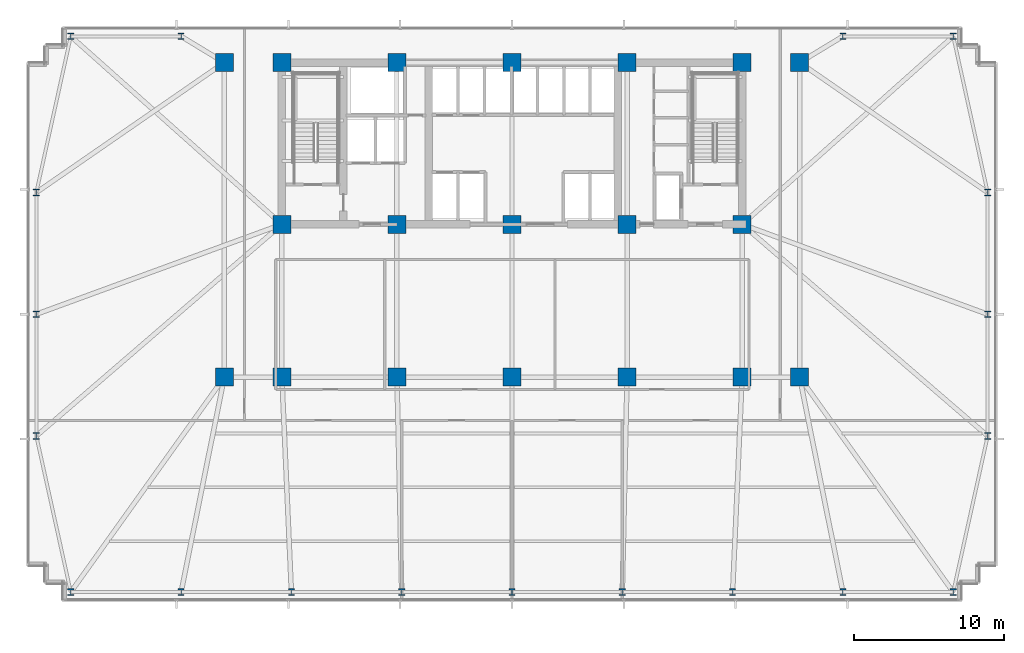
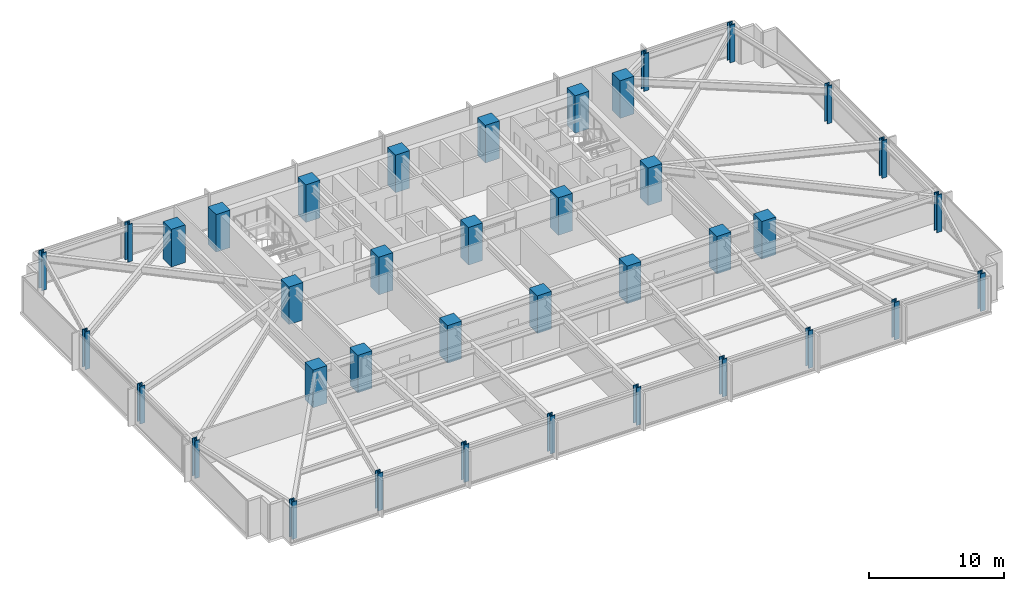
# One storey, part 1 of 32: 38 columns.
"""IFC4 building model written with IfcOpenShell, lengths in metres."""

from ifc_helpers import new_model, si_unit, direction, frame, origin, origin_2d, place, context, subcontext, project, spatial, rectangle, i_section, extrude, material, material_profile, profile_set, type_object, element, save


model = new_model("IFC4")

# Units and contexts
model_context = context("Model", 3, precision=1e-05, world=origin(), true_north=direction((0.0, 1.0)))
body_context = subcontext(model_context, "Body", "Model", "MODEL_VIEW")
ifc_project = project(units=[si_unit("LENGTHUNIT", "METRE"), si_unit("AREAUNIT", "SQUARE_METRE"), si_unit("VOLUMEUNIT", "CUBIC_METRE"), si_unit("PLANEANGLEUNIT", "RADIAN"), si_unit("MASSUNIT", "GRAM", prefix="KILO")], contexts=[model_context])

# Site, building, storey
site_placement = place(None, origin())
site = spatial("IfcSite", under=ifc_project, at=site_placement, CompositionType="ELEMENT")
building_placement = place(site_placement, origin())
building = spatial("IfcBuilding", under=site, at=building_placement, Name="Yelkora Congress Tower", CompositionType="ELEMENT")
storey_placement = place(building_placement, frame((0.0, 0.0, 50.800048828125)))
storey = spatial("IfcBuildingStorey", under=building, at=storey_placement, Name="L12", CompositionType="ELEMENT", Elevation=50.800048828125)

# Columns
ifc_material_1 = material(Name="Steel S460M", Category="steel")
ifc_material_profile_1 = material_profile(ifc_material_1, i_section(OverallWidth=0.41796875, OverallDepth=0.455078125, WebThickness=0.0419921875, FlangeThickness=0.068115234375, FilletRadius=0.014892578125, at=origin_2d()), Name="HD 400x551")
ifc_profile_set_1 = profile_set([ifc_material_profile_1], Name="Steel S460M")
column_type_1 = type_object("IfcColumnType", Name="COL-HD-551-EXT", PredefinedType="COLUMN", material=ifc_profile_set_1)
for number, where, z_axis, x_axis, name in (
    (1, (8.949951171875, 10.85009765625, 0.0), (0.0, 0.0, 1.0), (1.0, 0.0, 0.0), "L12 Perimeter Column S01"),
    (2, (16.3125, 10.85009765625, 0.0), (0.0, 0.0, 1.0), (1.0, 0.0, 0.0), "L12 Perimeter Column S02"),
    (3, (23.675048828125, 10.85009765625, 0.0), (0.0, 0.0, 1.0), (1.0, 0.0, 0.0), "L12 Perimeter Column S03"),
    (4, (31.03759765625, 10.85009765625, 0.0), (0.0, 0.0, 1.0), (1.0, 0.0, 0.0), "L12 Perimeter Column S04"),
    (5, (38.39990234375, 10.85009765625, 0.0), (0.0, 0.0, 1.0), (1.0, 0.0, 0.0), "L12 Perimeter Column S05"),
    (6, (45.762451171875, 10.85009765625, 0.0), (0.0, 0.0, 1.0), (1.0, 0.0, 0.0), "L12 Perimeter Column S06"),
    (7, (53.125, 10.85009765625, 0.0), (0.0, 0.0, 1.0), (1.0, 0.0, 0.0), "L12 Perimeter Column S07"),
    (8, (60.487548828125, 10.85009765625, 0.0), (0.0, 0.0, 1.0), (1.0, 0.0, 0.0), "L12 Perimeter Column S08"),
    (9, (67.85009765625, 10.85009765625, 0.0), (0.0, 0.0, 1.0), (1.0, 0.0, 0.0), "L12 Perimeter Column S09"),
    (10, (8.949951171875, 47.949951171875, 0.0), (0.0, 0.0, 1.0), (1.0, 0.0, 0.0), "L12 Perimeter Column N01"),
    (11, (16.3125, 47.949951171875, 0.0), (0.0, 0.0, 1.0), (1.0, 0.0, 0.0), "L12 Perimeter Column N02"),
    (12, (60.487548828125, 47.949951171875, 0.0), (0.0, 0.0, 1.0), (1.0, 0.0, 0.0), "L12 Perimeter Column N08"),
    (13, (67.85009765625, 47.949951171875, 0.0), (0.0, 0.0, 1.0), (1.0, 0.0, 0.0), "L12 Perimeter Column N09"),
    (14, (6.64990234375, 21.27490234375, 0.0), (0.0, 0.0, 1.0), (1.0, 0.0, 0.0), "L12 Perimeter Column W01"),
    (15, (70.14990234375, 21.27490234375, 0.0), (0.0, 0.0, 1.0), (1.0, 0.0, 0.0), "L12 Perimeter Column E01"),
    (16, (6.64990234375, 29.39990234375, 0.0), (0.0, 0.0, 1.0), (1.0, 0.0, 0.0), "L12 Perimeter Column W02"),
    (17, (70.14990234375, 29.39990234375, 0.0), (0.0, 0.0, 1.0), (1.0, 0.0, 0.0), "L12 Perimeter Column E02"),
    (18, (6.64990234375, 37.52490234375, 0.0), (0.0, 0.0, 1.0), (1.0, 0.0, 0.0), "L12 Perimeter Column W03"),
    (19, (70.14990234375, 37.52490234375, 0.0), (0.0, 0.0, 1.0), (1.0, 0.0, 0.0), "L12 Perimeter Column E03"),
):
    element("IfcColumn", number, at=place(storey_placement, frame(where, z_axis=z_axis, x_axis=x_axis)), inside=storey, type_object=column_type_1, Name=name, PredefinedType="COLUMN", context=body_context, shape_type="SweptSolid", body=[
        extrude(i_section(OverallWidth=0.41796875, OverallDepth=0.455078125, WebThickness=0.0419921875, FlangeThickness=0.068115234375, FilletRadius=0.014892578125, at=origin_2d()), origin(), (0.0, 0.0, 1.0), 3.39990234375),
    ])
ifc_material_2 = material(Name="Concrete C60/75", Category="concrete")
ifc_material_profile_2 = material_profile(ifc_material_2, rectangle(XDim=1.199951171875, YDim=1.199951171875, at=origin_2d()), Name="RC 1200x1200")
ifc_profile_set_2 = profile_set([ifc_material_profile_2], Name="Concrete C60/75")
column_type_2 = type_object("IfcColumnType", Name="COL-RC-1200", PredefinedType="COLUMN", material=ifc_profile_set_2)
for number, where, z_axis, x_axis, name in (
    (20, (23.0400390625, 35.39990234375, 0.0), (0.0, 0.0, 1.0), (1.0, 0.0, 0.0), "L12 Mega Column MC-S1"),
    (21, (23.0400390625, 46.199951171875, 0.0), (0.0, 0.0, 1.0), (1.0, 0.0, 0.0), "L12 Mega Column MC-N1"),
    (22, (23.0400390625, 25.199951171875, 0.0), (0.0, 0.0, 1.0), (1.0, 0.0, 0.0), "L12 Mega Column MC-D1"),
    (23, (30.719970703125, 35.39990234375, 0.0), (0.0, 0.0, 1.0), (1.0, 0.0, 0.0), "L12 Mega Column MC-S2"),
    (24, (30.719970703125, 46.199951171875, 0.0), (0.0, 0.0, 1.0), (1.0, 0.0, 0.0), "L12 Mega Column MC-N2"),
    (25, (30.719970703125, 25.199951171875, 0.0), (0.0, 0.0, 1.0), (1.0, 0.0, 0.0), "L12 Mega Column MC-D2"),
    (26, (38.39990234375, 35.39990234375, 0.0), (0.0, 0.0, 1.0), (1.0, 0.0, 0.0), "L12 Mega Column MC-S3"),
    (27, (38.39990234375, 46.199951171875, 0.0), (0.0, 0.0, 1.0), (1.0, 0.0, 0.0), "L12 Mega Column MC-N3"),
    (28, (38.39990234375, 25.199951171875, 0.0), (0.0, 0.0, 1.0), (1.0, 0.0, 0.0), "L12 Mega Column MC-D3"),
    (29, (46.080078125, 35.39990234375, 0.0), (0.0, 0.0, 1.0), (1.0, 0.0, 0.0), "L12 Mega Column MC-S4"),
    (30, (46.080078125, 46.199951171875, 0.0), (0.0, 0.0, 1.0), (1.0, 0.0, 0.0), "L12 Mega Column MC-N4"),
    (31, (46.080078125, 25.199951171875, 0.0), (0.0, 0.0, 1.0), (1.0, 0.0, 0.0), "L12 Mega Column MC-D4"),
    (32, (53.760009765625, 35.39990234375, 0.0), (0.0, 0.0, 1.0), (1.0, 0.0, 0.0), "L12 Mega Column MC-S5"),
    (33, (53.760009765625, 46.199951171875, 0.0), (0.0, 0.0, 1.0), (1.0, 0.0, 0.0), "L12 Mega Column MC-N5"),
    (34, (53.760009765625, 25.199951171875, 0.0), (0.0, 0.0, 1.0), (1.0, 0.0, 0.0), "L12 Mega Column MC-D5"),
    (35, (19.199951171875, 25.199951171875, 0.0), (0.0, 0.0, 1.0), (1.0, 0.0, 0.0), "L12 Mega Column MC-F1"),
    (36, (57.60009765625, 25.199951171875, 0.0), (0.0, 0.0, 1.0), (1.0, 0.0, 0.0), "L12 Mega Column MC-F2"),
    (37, (19.199951171875, 46.199951171875, 0.0), (0.0, 0.0, 1.0), (1.0, 0.0, 0.0), "L12 Mega Column MC-F3"),
    (38, (57.60009765625, 46.199951171875, 0.0), (0.0, 0.0, 1.0), (1.0, 0.0, 0.0), "L12 Mega Column MC-F4"),
):
    element("IfcColumn", number, at=place(storey_placement, frame(where, z_axis=z_axis, x_axis=x_axis)), inside=storey, type_object=column_type_2, Name=name, PredefinedType="COLUMN", context=body_context, shape_type="SweptSolid", body=[
        extrude(rectangle(XDim=1.199951171875, YDim=1.199951171875, at=origin_2d()), origin(), (0.0, 0.0, 1.0), 3.39990234375),
    ])

save(model, "model.ifc")
